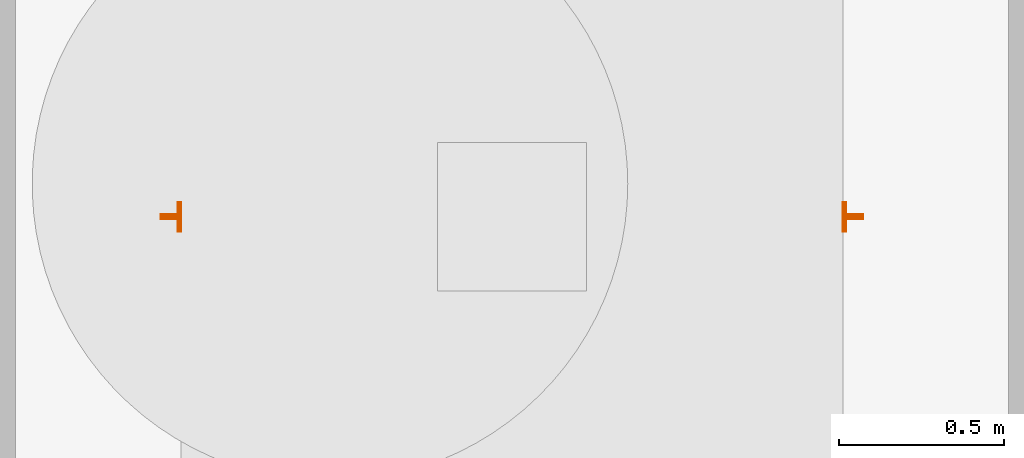
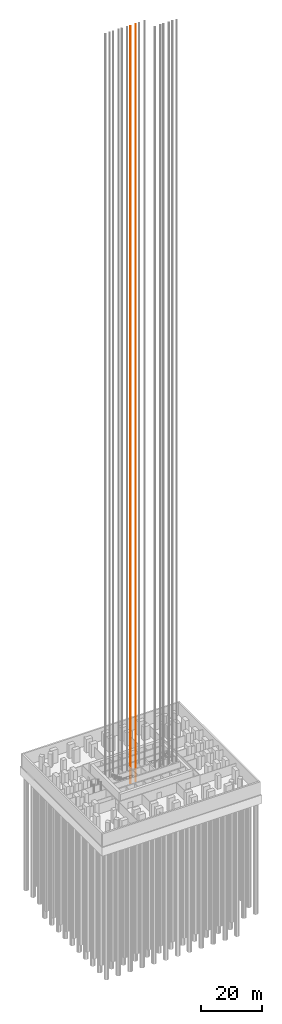
# One storey, part 12 of 17: 1 proxy.
"""IFC4 building model written with IfcOpenShell, lengths in metres."""

from ifc_helpers import new_model, si_unit, direction, frame, origin, origin_2d, place, context, subcontext, project, spatial, t_section, extrude, material, type_object, element, save


model = new_model("IFC4")

# Units and contexts
model_context = context("Model", 3, precision=1e-05, world=origin(), true_north=direction((0.0, 1.0)))
body_context = subcontext(model_context, "Body", "Model", "MODEL_VIEW")
ifc_project = project(units=[si_unit("LENGTHUNIT", "METRE"), si_unit("AREAUNIT", "SQUARE_METRE"), si_unit("VOLUMEUNIT", "CUBIC_METRE"), si_unit("PLANEANGLEUNIT", "RADIAN"), si_unit("MASSUNIT", "GRAM", prefix="KILO")], contexts=[model_context])

# Site, building, storey
site_placement = place(None, origin())
site = spatial("IfcSite", under=ifc_project, at=site_placement, CompositionType="ELEMENT")
building_placement = place(site_placement, origin())
building = spatial("IfcBuilding", under=site, at=building_placement, Name="Cobogo Forest Laboratory Tower", CompositionType="ELEMENT")
storey_placement = place(building_placement, frame((0.0, 0.0, -5.39990234375)))
storey = spatial("IfcBuildingStorey", under=building, at=storey_placement, Name="L-01", CompositionType="ELEMENT", Elevation=-5.39990234375)

# Proxy
ifc_material = material(Name="Steel guide rail", Category="steel")
building_element_proxy_type = type_object("IfcBuildingElementProxyType", Name="LR lift guide rails", PredefinedType="USERDEFINED", material=ifc_material)
proxy_placement = place(storey_placement, frame((24.699951171875, 25.25, 0.0)))
element("IfcBuildingElementProxy", 1, at=proxy_placement, inside=storey, type_object=building_element_proxy_type, Name="LS5 guide rails", ObjectType="LIFT GUIDE RAILS", PredefinedType="USERDEFINED", context=body_context, shape_type="SweptSolid", body=[
    extrude(t_section(Depth=0.062, FlangeWidth=0.089, WebThickness=0.0159, FlangeThickness=0.01, at=origin_2d()), frame((-1.031005859375, 0.0, -1.60009765625), z_axis=(0.0, 0.0, 1.0), x_axis=(0.0, -1.0, 0.0)), (0.0, 0.0, 1.0), 303.800048828125),
    extrude(t_section(Depth=0.062, FlangeWidth=0.089, WebThickness=0.0159, FlangeThickness=0.01, at=origin_2d()), frame((1.031005859375, 0.0, -1.60009765625), z_axis=(0.0, 0.0, 1.0), x_axis=(0.0, 1.0, 0.0)), (0.0, 0.0, 1.0), 303.800048828125),
])

save(model, "model.ifc")
